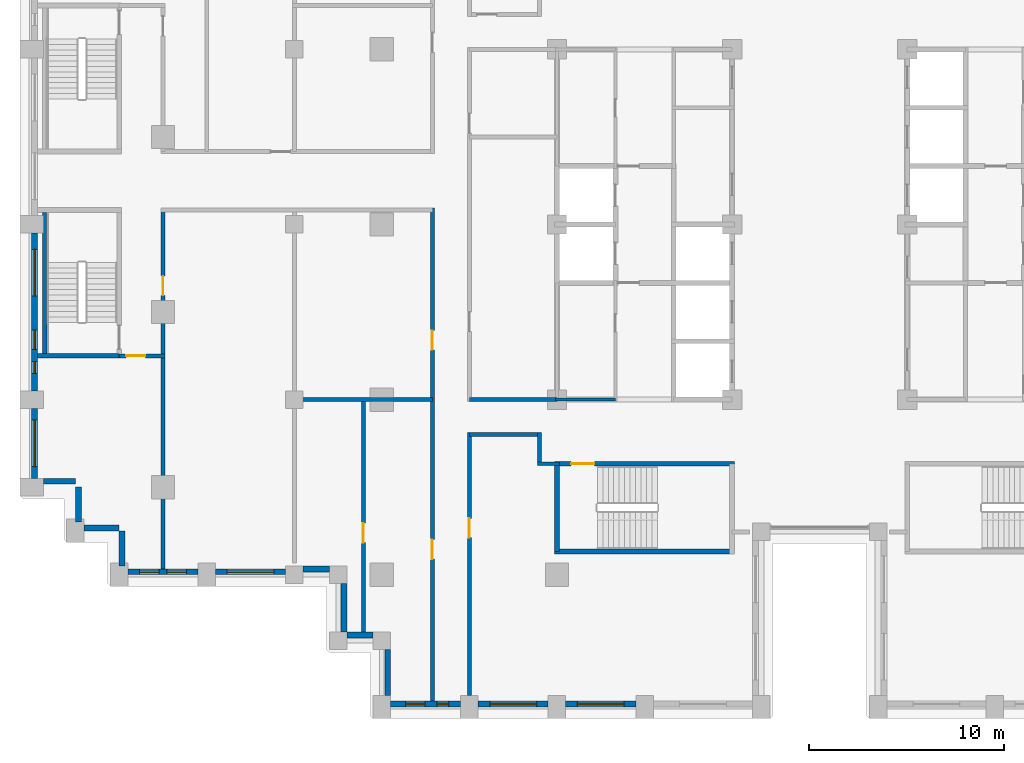
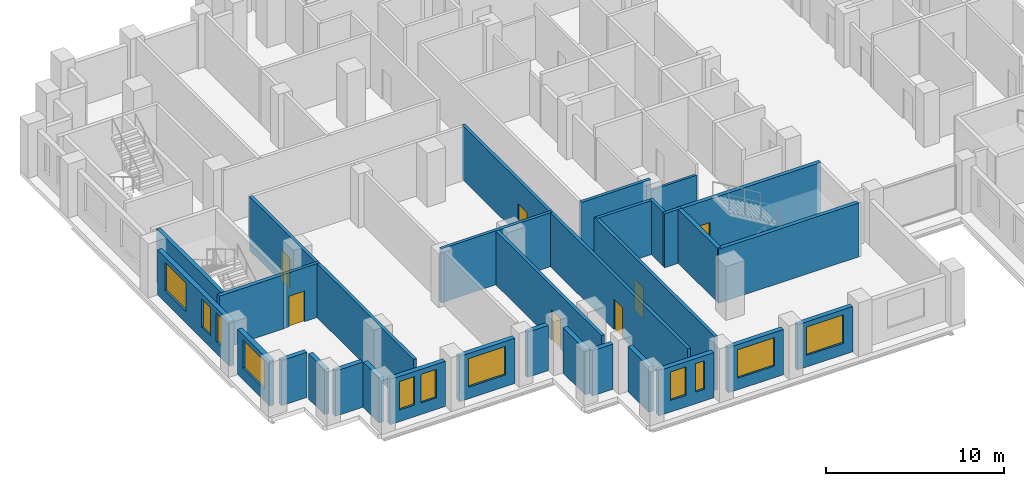
# One storey, part 6 of 15: 31 walls, 11 windows, 7 doors, 18 openings.
"""IFC4 building model written with IfcOpenShell, lengths in metres."""

from ifc_helpers import new_model, si_unit, direction, frame, frame_2d, origin, place, context, subcontext, project, spatial, rectangle, extrude, material, layer, layer_set, type_object, element, fill, save


model = new_model("IFC4")

# Units and contexts
model_context = context("Model", 3, precision=1e-05, world=origin(), true_north=direction((0.0, 1.0)))
body_context = subcontext(model_context, "Body", "Model", "MODEL_VIEW")
ifc_project = project(units=[si_unit("LENGTHUNIT", "METRE"), si_unit("AREAUNIT", "SQUARE_METRE"), si_unit("VOLUMEUNIT", "CUBIC_METRE"), si_unit("PLANEANGLEUNIT", "RADIAN"), si_unit("MASSUNIT", "GRAM", prefix="KILO")], contexts=[model_context])

# Site, building, storey
site_placement = place(None, origin())
site = spatial("IfcSite", under=ifc_project, at=site_placement, CompositionType="ELEMENT")
building_placement = place(site_placement, origin())
building = spatial("IfcBuilding", under=site, at=building_placement, Name="Corbelhall Arena Tower", CompositionType="ELEMENT")
storey_placement = place(building_placement, frame((0.0, 0.0, 92.0)))
storey = spatial("IfcBuildingStorey", under=building, at=storey_placement, Name="L15", CompositionType="ELEMENT", Elevation=92.0)

# Walls
ifc_material_1 = material(Name="Precast concrete C40/50 with granite facing", Category="masonry")
ifc_layer_1 = layer(ifc_material_1, 0.300048828125)
ifc_layer_set_1 = layer_set([ifc_layer_1], Name="EV-IW1 Infill panel 300")
wall_type_1 = type_object("IfcWallType", Name="EV-IW1 Infill panel 300", PredefinedType="SOLIDWALL", material=ifc_layer_set_1)
wall_1_placement = place(storey_placement, frame((-39.89990234375, -13.199951171875, 0.0), z_axis=(0.0, 0.0, 1.0), x_axis=(1.0, 0.0, 0.0)))
element("IfcWall", 1, at=wall_1_placement, inside=storey, type_object=wall_type_1, Name="Infill panel IW1", PredefinedType="SOLIDWALL", context=body_context, shape_type="SweptSolid", body=[
    extrude(rectangle(XDim=1.64990234375, YDim=0.300048828125, at=frame_2d((0.824951171875, 0.0))), origin(), (0.0, 0.0, 1.0), 3.10009765625),
])
for number, where, z_axis, x_axis, name in (
    (2, (-38.10009765625, -15.300048828125, 0.0), (0.0, 0.0, 1.0), (0.0, 1.0, 0.0), "Infill panel IW1"),
    (3, (-37.800048828125, -15.60009765625, 0.0), (0.0, 0.0, 1.0), (1.0, 0.0, 0.0), "Infill panel IW1"),
    (4, (-35.85009765625, -17.550048828125, 0.0), (0.0, 0.0, 1.0), (0.0, 1.0, 0.0), "Infill panel IW1"),
):
    element("IfcWall", number, at=place(storey_placement, frame(where, z_axis=z_axis, x_axis=x_axis)), inside=storey, type_object=wall_type_1, Name=name, PredefinedType="SOLIDWALL", context=body_context, shape_type="SweptSolid", body=[
        extrude(rectangle(XDim=1.800048828125, YDim=0.300048828125, at=frame_2d((0.89990234375, 0.0))), origin(), (0.0, 0.0, 1.0), 3.10009765625),
    ])

# Wall, openings, windows
wall_2_placement = place(storey_placement, frame((-40.35009765625, -0.449951171875, 0.0), z_axis=(0.0, 0.0, 1.0), x_axis=(0.0, -1.0, 0.0)))
wall_2 = element("IfcWall", 5, at=wall_2_placement, inside=storey, type_object=wall_type_1, Name="Infill panel IW1", PredefinedType="SOLIDWALL", context=body_context, shape_type="SweptSolid", body=[
    extrude(rectangle(XDim=8.10009765625, YDim=0.300048828125, at=frame_2d((4.050048828125, 0.0))), origin(), (0.0, 0.0, 1.0), 3.10009765625),
])
opening_1_placement = place(wall_2_placement, frame((0.824951171875, 0.0, 0.800048828125)))
opening_1 = element("IfcOpeningElement", 6, at=opening_1_placement, cuts=wall_2, Name="Opening WN1", PredefinedType="OPENING", context=body_context, shape_type="SweptSolid", body=[
    extrude(rectangle(XDim=2.39990234375, YDim=1.949951171875, at=frame_2d((1.199951171875, 0.97509765625))), frame((0.0, 0.14990234375, 0.0), z_axis=(0.0, -1.0, 0.0), x_axis=(1.0, 0.0, 0.0)), (0.0, 0.0, 1.0), 0.300048828125),
])
opening_2_placement = place(wall_2_placement, frame((4.97509765625, 0.0, 0.800048828125)))
opening_2 = element("IfcOpeningElement", 7, at=opening_2_placement, cuts=wall_2, Name="Opening WN6", PredefinedType="OPENING", context=body_context, shape_type="SweptSolid", body=[
    extrude(rectangle(XDim=1.0, YDim=1.949951171875, at=frame_2d((0.5, 0.97509765625))), frame((0.0, 0.14990234375, 0.0), z_axis=(0.0, -1.0, 0.0), x_axis=(1.0, 0.0, 0.0)), (0.0, 0.0, 1.0), 0.300048828125),
])
opening_3_placement = place(wall_2_placement, frame((6.60009765625, 0.0, 0.800048828125)))
opening_3 = element("IfcOpeningElement", 8, at=opening_3_placement, cuts=wall_2, Name="Opening WN5", PredefinedType="OPENING", context=body_context, shape_type="SweptSolid", body=[
    extrude(rectangle(XDim=0.60009765625, YDim=1.949951171875, at=frame_2d((0.300048828125, 0.97509765625))), frame((0.0, 0.14990234375, 0.0), z_axis=(0.0, -1.0, 0.0), x_axis=(1.0, 0.0, 0.0)), (0.0, 0.0, 1.0), 0.300048828125),
])
ifc_material_2 = material(Name="Aluminium black anodised", Category="aluminium")
window_type_1 = type_object("IfcWindowType", Name="EV-WN1 Office window", PartitioningType="SINGLE_PANEL", PredefinedType="WINDOW", material=ifc_material_2)
window_1_placement = place(opening_1_placement, origin())
window_1 = element("IfcWindow", 9, at=window_1_placement, inside=storey, type_object=window_type_1, Name="Window WN1", OverallHeight=1.949951171875, OverallWidth=2.39990234375, PartitioningType="SINGLE_PANEL", PredefinedType="WINDOW", context=body_context, shape_type="SweptSolid", body=[
    extrude(rectangle(XDim=2.39990234375, YDim=1.949951171875, at=frame_2d((1.199951171875, 0.97509765625))), frame((0.0, 0.030029296875, 0.0), z_axis=(0.0, -1.0, 0.0), x_axis=(1.0, 0.0, 0.0)), (0.0, 0.0, 1.0), 0.06005859375),
])
fill(opening_1, window_1)
window_type_2 = type_object("IfcWindowType", Name="EV-WN5 Office window 600", PartitioningType="SINGLE_PANEL", PredefinedType="WINDOW", material=ifc_material_2)
window_2_placement = place(opening_3_placement, origin())
window_2 = element("IfcWindow", 10, at=window_2_placement, inside=storey, type_object=window_type_2, Name="Window WN5", OverallHeight=1.949951171875, OverallWidth=0.60009765625, PartitioningType="SINGLE_PANEL", PredefinedType="WINDOW", context=body_context, shape_type="SweptSolid", body=[
    extrude(rectangle(XDim=0.60009765625, YDim=1.949951171875, at=frame_2d((0.300048828125, 0.97509765625))), frame((0.0, 0.030029296875, 0.0), z_axis=(0.0, -1.0, 0.0), x_axis=(1.0, 0.0, 0.0)), (0.0, 0.0, 1.0), 0.06005859375),
])
fill(opening_3, window_2)
window_type_3 = type_object("IfcWindowType", Name="EV-WN6 Office window 1000", PartitioningType="SINGLE_PANEL", PredefinedType="WINDOW", material=ifc_material_2)
window_3_placement = place(opening_2_placement, origin())
window_3 = element("IfcWindow", 11, at=window_3_placement, inside=storey, type_object=window_type_3, Name="Window WN6", OverallHeight=1.949951171875, OverallWidth=1.0, PartitioningType="SINGLE_PANEL", PredefinedType="WINDOW", context=body_context, shape_type="SweptSolid", body=[
    extrude(rectangle(XDim=1.0, YDim=1.949951171875, at=frame_2d((0.5, 0.97509765625))), frame((0.0, 0.030029296875, 0.0), z_axis=(0.0, -1.0, 0.0), x_axis=(1.0, 0.0, 0.0)), (0.0, 0.0, 1.0), 0.06005859375),
])
fill(opening_2, window_3)

# Wall, opening, window
wall_3_placement = place(storey_placement, frame((-40.35009765625, -9.449951171875, 0.0), z_axis=(0.0, 0.0, 1.0), x_axis=(0.0, -1.0, 0.0)))
wall_3 = element("IfcWall", 12, at=wall_3_placement, inside=storey, type_object=wall_type_1, Name="Infill panel IW1", PredefinedType="SOLIDWALL", context=body_context, shape_type="SweptSolid", body=[
    extrude(rectangle(XDim=3.60009765625, YDim=0.300048828125, at=frame_2d((1.800048828125, 0.0))), origin(), (0.0, 0.0, 1.0), 3.10009765625),
])
opening_4_placement = place(wall_3_placement, frame((0.60009765625, 0.0, 0.800048828125)))
opening_4 = element("IfcOpeningElement", 13, at=opening_4_placement, cuts=wall_3, Name="Opening WN1", PredefinedType="OPENING", context=body_context, shape_type="SweptSolid", body=[
    extrude(rectangle(XDim=2.39990234375, YDim=1.949951171875, at=frame_2d((1.199951171875, 0.97509765625))), frame((0.0, 0.14990234375, 0.0), z_axis=(0.0, -1.0, 0.0), x_axis=(1.0, 0.0, 0.0)), (0.0, 0.0, 1.0), 0.300048828125),
])
window_4_placement = place(opening_4_placement, origin())
window_4 = element("IfcWindow", 14, at=window_4_placement, inside=storey, type_object=window_type_1, Name="Window WN1", OverallHeight=1.949951171875, OverallWidth=2.39990234375, PartitioningType="SINGLE_PANEL", PredefinedType="WINDOW", context=body_context, shape_type="SweptSolid", body=[
    extrude(rectangle(XDim=2.39990234375, YDim=1.949951171875, at=frame_2d((1.199951171875, 0.97509765625))), frame((0.0, 0.030029296875, 0.0), z_axis=(0.0, -1.0, 0.0), x_axis=(1.0, 0.0, 0.0)), (0.0, 0.0, 1.0), 0.06005859375),
])
fill(opening_4, window_4)

# Wall, openings, windows
wall_4_placement = place(storey_placement, frame((-35.550048828125, -17.85009765625, 0.0), z_axis=(0.0, 0.0, 1.0), x_axis=(1.0, 0.0, 0.0)))
wall_4 = element("IfcWall", 15, at=wall_4_placement, inside=storey, type_object=wall_type_1, Name="Infill panel IW1", PredefinedType="SOLIDWALL", context=body_context, shape_type="SweptSolid", body=[
    extrude(rectangle(XDim=3.60009765625, YDim=0.300048828125, at=frame_2d((1.800048828125, 0.0))), origin(), (0.0, 0.0, 1.0), 3.10009765625),
])
opening_5_placement = place(wall_4_placement, frame((0.60009765625, 0.0, 0.800048828125)))
opening_5 = element("IfcOpeningElement", 16, at=opening_5_placement, cuts=wall_4, Name="Opening WN6", PredefinedType="OPENING", context=body_context, shape_type="SweptSolid", body=[
    extrude(rectangle(XDim=1.0, YDim=1.949951171875, at=frame_2d((0.5, 0.97509765625))), frame((0.0, 0.14990234375, 0.0), z_axis=(0.0, -1.0, 0.0), x_axis=(1.0, 0.0, 0.0)), (0.0, 0.0, 1.0), 0.300048828125),
])
opening_6_placement = place(wall_4_placement, frame((2.0, 0.0, 0.800048828125)))
opening_6 = element("IfcOpeningElement", 17, at=opening_6_placement, cuts=wall_4, Name="Opening WN6", PredefinedType="OPENING", context=body_context, shape_type="SweptSolid", body=[
    extrude(rectangle(XDim=1.0, YDim=1.949951171875, at=frame_2d((0.5, 0.97509765625))), frame((0.0, 0.14990234375, 0.0), z_axis=(0.0, -1.0, 0.0), x_axis=(1.0, 0.0, 0.0)), (0.0, 0.0, 1.0), 0.300048828125),
])
window_5_placement = place(opening_5_placement, origin())
window_5 = element("IfcWindow", 18, at=window_5_placement, inside=storey, type_object=window_type_3, Name="Window WN6", OverallHeight=1.949951171875, OverallWidth=1.0, PartitioningType="SINGLE_PANEL", PredefinedType="WINDOW", context=body_context, shape_type="SweptSolid", body=[
    extrude(rectangle(XDim=1.0, YDim=1.949951171875, at=frame_2d((0.5, 0.97509765625))), frame((0.0, 0.030029296875, 0.0), z_axis=(0.0, -1.0, 0.0), x_axis=(1.0, 0.0, 0.0)), (0.0, 0.0, 1.0), 0.06005859375),
])
fill(opening_5, window_5)
window_6_placement = place(opening_6_placement, origin())
window_6 = element("IfcWindow", 19, at=window_6_placement, inside=storey, type_object=window_type_3, Name="Window WN6", OverallHeight=1.949951171875, OverallWidth=1.0, PartitioningType="SINGLE_PANEL", PredefinedType="WINDOW", context=body_context, shape_type="SweptSolid", body=[
    extrude(rectangle(XDim=1.0, YDim=1.949951171875, at=frame_2d((0.5, 0.97509765625))), frame((0.0, 0.030029296875, 0.0), z_axis=(0.0, -1.0, 0.0), x_axis=(1.0, 0.0, 0.0)), (0.0, 0.0, 1.0), 0.06005859375),
])
fill(opening_6, window_6)

# Wall, opening, window
wall_5_placement = place(storey_placement, frame((-31.050048828125, -17.85009765625, 0.0), z_axis=(0.0, 0.0, 1.0), x_axis=(1.0, 0.0, 0.0)))
wall_5 = element("IfcWall", 20, at=wall_5_placement, inside=storey, type_object=wall_type_1, Name="Infill panel IW1", PredefinedType="SOLIDWALL", context=body_context, shape_type="SweptSolid", body=[
    extrude(rectangle(XDim=3.60009765625, YDim=0.300048828125, at=frame_2d((1.800048828125, 0.0))), origin(), (0.0, 0.0, 1.0), 3.10009765625),
])
opening_7_placement = place(wall_5_placement, frame((0.60009765625, 0.0, 0.800048828125)))
opening_7 = element("IfcOpeningElement", 21, at=opening_7_placement, cuts=wall_5, Name="Opening WN1", PredefinedType="OPENING", context=body_context, shape_type="SweptSolid", body=[
    extrude(rectangle(XDim=2.39990234375, YDim=1.949951171875, at=frame_2d((1.199951171875, 0.97509765625))), frame((0.0, 0.14990234375, 0.0), z_axis=(0.0, -1.0, 0.0), x_axis=(1.0, 0.0, 0.0)), (0.0, 0.0, 1.0), 0.300048828125),
])
window_7_placement = place(opening_7_placement, origin())
window_7 = element("IfcWindow", 22, at=window_7_placement, inside=storey, type_object=window_type_1, Name="Window WN1", OverallHeight=1.949951171875, OverallWidth=2.39990234375, PartitioningType="SINGLE_PANEL", PredefinedType="WINDOW", context=body_context, shape_type="SweptSolid", body=[
    extrude(rectangle(XDim=2.39990234375, YDim=1.949951171875, at=frame_2d((1.199951171875, 0.97509765625))), frame((0.0, 0.030029296875, 0.0), z_axis=(0.0, -1.0, 0.0), x_axis=(1.0, 0.0, 0.0)), (0.0, 0.0, 1.0), 0.06005859375),
])
fill(opening_7, window_7)

# Walls
wall_6_placement = place(storey_placement, frame((-26.550048828125, -17.699951171875, 0.0), z_axis=(0.0, 0.0, 1.0), x_axis=(1.0, 0.0, 0.0)))
element("IfcWall", 23, at=wall_6_placement, inside=storey, type_object=wall_type_1, Name="Infill panel IW1", PredefinedType="SOLIDWALL", context=body_context, shape_type="SweptSolid", body=[
    extrude(rectangle(XDim=1.35009765625, YDim=0.300048828125, at=frame_2d((0.675048828125, 0.0))), origin(), (0.0, 0.0, 1.0), 3.10009765625),
])
wall_7_placement = place(storey_placement, frame((-24.449951171875, -18.449951171875, 0.0), z_axis=(0.0, 0.0, 1.0), x_axis=(0.0, -1.0, 0.0)))
element("IfcWall", 24, at=wall_7_placement, inside=storey, type_object=wall_type_1, Name="Infill panel IW1", PredefinedType="SOLIDWALL", context=body_context, shape_type="SweptSolid", body=[
    extrude(rectangle(XDim=2.5, YDim=0.300048828125, at=frame_2d((1.25, 0.0))), origin(), (0.0, 0.0, 1.0), 3.10009765625),
])
wall_8_placement = place(storey_placement, frame((-24.300048828125, -21.10009765625, 0.0), z_axis=(0.0, 0.0, 1.0), x_axis=(1.0, 0.0, 0.0)))
element("IfcWall", 25, at=wall_8_placement, inside=storey, type_object=wall_type_1, Name="Infill panel IW1", PredefinedType="SOLIDWALL", context=body_context, shape_type="SweptSolid", body=[
    extrude(rectangle(XDim=1.35009765625, YDim=0.300048828125, at=frame_2d((0.675048828125, 0.0))), origin(), (0.0, 0.0, 1.0), 3.10009765625),
])
wall_9_placement = place(storey_placement, frame((-22.199951171875, -21.85009765625, 0.0), z_axis=(0.0, 0.0, 1.0), x_axis=(0.0, -1.0, 0.0)))
element("IfcWall", 26, at=wall_9_placement, inside=storey, type_object=wall_type_1, Name="Infill panel IW1", PredefinedType="SOLIDWALL", context=body_context, shape_type="SweptSolid", body=[
    extrude(rectangle(XDim=2.349853515625, YDim=0.300048828125, at=frame_2d((1.1748046875, 0.0))), origin(), (0.0, 0.0, 1.0), 3.10009765625),
])

# Wall, openings, windows
wall_10_placement = place(storey_placement, frame((-22.050048828125, -24.64990234375, 0.0), z_axis=(0.0, 0.0, 1.0), x_axis=(1.0, 0.0, 0.0)))
wall_10 = element("IfcWall", 27, at=wall_10_placement, inside=storey, type_object=wall_type_1, Name="Infill panel IW1", PredefinedType="SOLIDWALL", context=body_context, shape_type="SweptSolid", body=[
    extrude(rectangle(XDim=3.60009765625, YDim=0.300048828125, at=frame_2d((1.800048828125, 0.0))), origin(), (0.0, 0.0, 1.0), 3.10009765625),
])
opening_8_placement = place(wall_10_placement, frame((0.77490234375, 0.0, 0.800048828125)))
opening_8 = element("IfcOpeningElement", 28, at=opening_8_placement, cuts=wall_10, Name="Opening WN6", PredefinedType="OPENING", context=body_context, shape_type="SweptSolid", body=[
    extrude(rectangle(XDim=1.0, YDim=1.949951171875, at=frame_2d((0.5, 0.97509765625))), frame((0.0, 0.14990234375, 0.0), z_axis=(0.0, -1.0, 0.0), x_axis=(1.0, 0.0, 0.0)), (0.0, 0.0, 1.0), 0.300048828125),
])
opening_9_placement = place(wall_10_placement, frame((2.375, 0.0, 0.800048828125)))
opening_9 = element("IfcOpeningElement", 29, at=opening_9_placement, cuts=wall_10, Name="Opening WN5", PredefinedType="OPENING", context=body_context, shape_type="SweptSolid", body=[
    extrude(rectangle(XDim=0.60009765625, YDim=1.949951171875, at=frame_2d((0.300048828125, 0.97509765625))), frame((0.0, 0.14990234375, 0.0), z_axis=(0.0, -1.0, 0.0), x_axis=(1.0, 0.0, 0.0)), (0.0, 0.0, 1.0), 0.300048828125),
])
window_8_placement = place(opening_9_placement, origin())
window_8 = element("IfcWindow", 30, at=window_8_placement, inside=storey, type_object=window_type_2, Name="Window WN5", OverallHeight=1.949951171875, OverallWidth=0.60009765625, PartitioningType="SINGLE_PANEL", PredefinedType="WINDOW", context=body_context, shape_type="SweptSolid", body=[
    extrude(rectangle(XDim=0.60009765625, YDim=1.949951171875, at=frame_2d((0.300048828125, 0.97509765625))), frame((0.0, 0.030029296875, 0.0), z_axis=(0.0, -1.0, 0.0), x_axis=(1.0, 0.0, 0.0)), (0.0, 0.0, 1.0), 0.06005859375),
])
fill(opening_9, window_8)
window_9_placement = place(opening_8_placement, origin())
window_9 = element("IfcWindow", 31, at=window_9_placement, inside=storey, type_object=window_type_3, Name="Window WN6", OverallHeight=1.949951171875, OverallWidth=1.0, PartitioningType="SINGLE_PANEL", PredefinedType="WINDOW", context=body_context, shape_type="SweptSolid", body=[
    extrude(rectangle(XDim=1.0, YDim=1.949951171875, at=frame_2d((0.5, 0.97509765625))), frame((0.0, 0.030029296875, 0.0), z_axis=(0.0, -1.0, 0.0), x_axis=(1.0, 0.0, 0.0)), (0.0, 0.0, 1.0), 0.06005859375),
])
fill(opening_8, window_9)

# Wall, opening, window
wall_11_placement = place(storey_placement, frame((-17.550048828125, -24.64990234375, 0.0), z_axis=(0.0, 0.0, 1.0), x_axis=(1.0, 0.0, 0.0)))
wall_11 = element("IfcWall", 32, at=wall_11_placement, inside=storey, type_object=wall_type_1, Name="Infill panel IW1", PredefinedType="SOLIDWALL", context=body_context, shape_type="SweptSolid", body=[
    extrude(rectangle(XDim=3.60009765625, YDim=0.300048828125, at=frame_2d((1.800048828125, 0.0))), origin(), (0.0, 0.0, 1.0), 3.10009765625),
])
opening_10_placement = place(wall_11_placement, frame((0.60009765625, 0.0, 0.800048828125)))
opening_10 = element("IfcOpeningElement", 33, at=opening_10_placement, cuts=wall_11, Name="Opening WN1", PredefinedType="OPENING", context=body_context, shape_type="SweptSolid", body=[
    extrude(rectangle(XDim=2.39990234375, YDim=1.949951171875, at=frame_2d((1.199951171875, 0.97509765625))), frame((0.0, 0.14990234375, 0.0), z_axis=(0.0, -1.0, 0.0), x_axis=(1.0, 0.0, 0.0)), (0.0, 0.0, 1.0), 0.300048828125),
])
window_10_placement = place(opening_10_placement, origin())
window_10 = element("IfcWindow", 34, at=window_10_placement, inside=storey, type_object=window_type_1, Name="Window WN1", OverallHeight=1.949951171875, OverallWidth=2.39990234375, PartitioningType="SINGLE_PANEL", PredefinedType="WINDOW", context=body_context, shape_type="SweptSolid", body=[
    extrude(rectangle(XDim=2.39990234375, YDim=1.949951171875, at=frame_2d((1.199951171875, 0.97509765625))), frame((0.0, 0.030029296875, 0.0), z_axis=(0.0, -1.0, 0.0), x_axis=(1.0, 0.0, 0.0)), (0.0, 0.0, 1.0), 0.06005859375),
])
fill(opening_10, window_10)

wall_12_placement = place(storey_placement, frame((-13.050048828125, -24.64990234375, 0.0), z_axis=(0.0, 0.0, 1.0), x_axis=(1.0, 0.0, 0.0)))
wall_12 = element("IfcWall", 35, at=wall_12_placement, inside=storey, type_object=wall_type_1, Name="Infill panel IW1", PredefinedType="SOLIDWALL", context=body_context, shape_type="SweptSolid", body=[
    extrude(rectangle(XDim=3.60009765625, YDim=0.300048828125, at=frame_2d((1.800048828125, 0.0))), origin(), (0.0, 0.0, 1.0), 3.10009765625),
])
opening_11_placement = place(wall_12_placement, frame((0.60009765625, 0.0, 0.800048828125)))
opening_11 = element("IfcOpeningElement", 36, at=opening_11_placement, cuts=wall_12, Name="Opening WN1", PredefinedType="OPENING", context=body_context, shape_type="SweptSolid", body=[
    extrude(rectangle(XDim=2.39990234375, YDim=1.949951171875, at=frame_2d((1.199951171875, 0.97509765625))), frame((0.0, 0.14990234375, 0.0), z_axis=(0.0, -1.0, 0.0), x_axis=(1.0, 0.0, 0.0)), (0.0, 0.0, 1.0), 0.300048828125),
])
window_11_placement = place(opening_11_placement, origin())
window_11 = element("IfcWindow", 37, at=window_11_placement, inside=storey, type_object=window_type_1, Name="Window WN1", OverallHeight=1.949951171875, OverallWidth=2.39990234375, PartitioningType="SINGLE_PANEL", PredefinedType="WINDOW", context=body_context, shape_type="SweptSolid", body=[
    extrude(rectangle(XDim=2.39990234375, YDim=1.949951171875, at=frame_2d((1.199951171875, 0.97509765625))), frame((0.0, 0.030029296875, 0.0), z_axis=(0.0, -1.0, 0.0), x_axis=(1.0, 0.0, 0.0)), (0.0, 0.0, 1.0), 0.06005859375),
])
fill(opening_11, window_11)

# Wall, opening, door
ifc_material_3 = material(Name="Gypsum board on steel stud, acoustic", Category="steel")
ifc_layer_2 = layer(ifc_material_3, 0.199951171875)
ifc_layer_set_2 = layer_set([ifc_layer_2], Name="IN-W-DM200")
wall_type_2 = type_object("IfcWallType", Name="IN-W-DM200", PredefinedType="PARTITIONING", material=ifc_layer_set_2)
wall_13_placement = place(storey_placement, frame((-33.75, 0.75, 0.0), z_axis=(0.0, 0.0, 1.0), x_axis=(0.0, -1.0, 0.0)))
wall_13 = element("IfcWall", 38, at=wall_13_placement, inside=storey, type_object=wall_type_2, Name="Partition 003", PredefinedType="PARTITIONING", context=body_context, shape_type="SweptSolid", body=[
    extrude(rectangle(XDim=18.449951171875, YDim=0.199951171875, at=frame_2d((9.22509765625, 0.0))), origin(), (0.0, 0.0, 1.0), 3.699951171875),
])
opening_12_placement = place(wall_13_placement, frame((3.39990234375, 0.0, 0.0)))
opening_12 = element("IfcOpeningElement", 39, at=opening_12_placement, cuts=wall_13, Name="Opening 03044", PredefinedType="OPENING", context=body_context, shape_type="SweptSolid", body=[
    extrude(rectangle(XDim=1.0, YDim=2.10009765625, at=frame_2d((0.5, 1.050048828125))), frame((0.0, 0.10009765625, 0.0), z_axis=(0.0, -1.0, 0.0), x_axis=(1.0, 0.0, 0.0)), (0.0, 0.0, 1.0), 0.199951171875),
])
ifc_material_4 = material(Name="Steel door set", Category="steel")
door_type_1 = type_object("IfcDoorType", Name="IN-D-SW100", OperationType="NOTDEFINED", PredefinedType="DOOR", material=ifc_material_4)
door_1_placement = place(opening_12_placement, origin())
door_1 = element("IfcDoor", 40, at=door_1_placement, inside=storey, type_object=door_type_1, Name="Door 044", OperationType="SINGLE_SWING_LEFT", OverallHeight=2.10009765625, OverallWidth=1.0, PredefinedType="DOOR", context=body_context, shape_type="SweptSolid", body=[
    extrude(rectangle(XDim=1.0, YDim=2.10009765625, at=frame_2d((0.5, 1.050048828125))), frame((0.0, 0.02490234375, 0.0), z_axis=(0.0, -1.0, 0.0), x_axis=(1.0, 0.0, 0.0)), (0.0, 0.0, 1.0), 0.050048828125),
])
fill(opening_12, door_1)

wall_14_placement = place(storey_placement, frame((-33.64990234375, -6.75, 0.0), z_axis=(0.0, 0.0, 1.0), x_axis=(-1.0, 0.0, 0.0)))
wall_14 = element("IfcWall", 41, at=wall_14_placement, inside=storey, type_object=wall_type_2, Name="Partition 005", PredefinedType="PARTITIONING", context=body_context, shape_type="SweptSolid", body=[
    extrude(rectangle(XDim=2.35009765625, YDim=0.199951171875, at=frame_2d((1.175048828125, 0.0))), origin(), (0.0, 0.0, 1.0), 3.699951171875),
])
opening_13_placement = place(wall_14_placement, frame((1.0, 0.0, 0.0)))
opening_13 = element("IfcOpeningElement", 42, at=opening_13_placement, cuts=wall_14, Name="Opening 03043", PredefinedType="OPENING", context=body_context, shape_type="SweptSolid", body=[
    extrude(rectangle(XDim=1.0, YDim=2.10009765625, at=frame_2d((0.5, 1.050048828125))), frame((0.0, 0.10009765625, 0.0), z_axis=(0.0, -1.0, 0.0), x_axis=(1.0, 0.0, 0.0)), (0.0, 0.0, 1.0), 0.199951171875),
])
door_2_placement = place(opening_13_placement, origin())
door_2 = element("IfcDoor", 43, at=door_2_placement, inside=storey, type_object=door_type_1, Name="Door 043", OperationType="SINGLE_SWING_RIGHT", OverallHeight=2.10009765625, OverallWidth=1.0, PredefinedType="DOOR", context=body_context, shape_type="SweptSolid", body=[
    extrude(rectangle(XDim=1.0, YDim=2.10009765625, at=frame_2d((0.5, 1.050048828125))), frame((0.0, 0.02490234375, 0.0), z_axis=(0.0, -1.0, 0.0), x_axis=(1.0, 0.0, 0.0)), (0.0, 0.0, 1.0), 0.050048828125),
])
fill(opening_13, door_2)

# Wall
wall_15_placement = place(storey_placement, frame((-27.10009765625, -9.0, 0.0), z_axis=(0.0, 0.0, 1.0), x_axis=(1.0, 0.0, 0.0)))
element("IfcWall", 44, at=wall_15_placement, inside=storey, type_object=wall_type_2, Name="Partition 007", PredefinedType="PARTITIONING", context=body_context, shape_type="SweptSolid", body=[
    extrude(rectangle(XDim=7.2001953125, YDim=0.199951171875, at=frame_2d((3.60009765625, 0.0))), origin(), (0.0, 0.0, 1.0), 3.699951171875),
])

# Wall, opening, door
wall_16_placement = place(storey_placement, frame((-23.449951171875, -20.949951171875, 0.0), z_axis=(0.0, 0.0, 1.0), x_axis=(0.0, 1.0, 0.0)))
wall_16 = element("IfcWall", 45, at=wall_16_placement, inside=storey, type_object=wall_type_2, Name="Partition 012", PredefinedType="PARTITIONING", context=body_context, shape_type="SweptSolid", body=[
    extrude(rectangle(XDim=12.050048828125, YDim=0.199951171875, at=frame_2d((6.02490234375, 0.0))), origin(), (0.0, 0.0, 1.0), 3.699951171875),
])
opening_14_placement = place(wall_16_placement, frame((4.60009765625, 0.0, 0.0)))
opening_14 = element("IfcOpeningElement", 46, at=opening_14_placement, cuts=wall_16, Name="Opening 03032", PredefinedType="OPENING", context=body_context, shape_type="SweptSolid", body=[
    extrude(rectangle(XDim=1.0, YDim=2.10009765625, at=frame_2d((0.5, 1.050048828125))), frame((0.0, 0.10009765625, 0.0), z_axis=(0.0, -1.0, 0.0), x_axis=(1.0, 0.0, 0.0)), (0.0, 0.0, 1.0), 0.199951171875),
])
door_3_placement = place(opening_14_placement, origin())
door_3 = element("IfcDoor", 47, at=door_3_placement, inside=storey, type_object=door_type_1, Name="Door 032", OperationType="SINGLE_SWING_LEFT", OverallHeight=2.10009765625, OverallWidth=1.0, PredefinedType="DOOR", context=body_context, shape_type="SweptSolid", body=[
    extrude(rectangle(XDim=1.0, YDim=2.10009765625, at=frame_2d((0.5, 1.050048828125))), frame((0.0, 0.02490234375, 0.0), z_axis=(0.0, -1.0, 0.0), x_axis=(1.0, 0.0, 0.0)), (0.0, 0.0, 1.0), 0.050048828125),
])
fill(opening_14, door_3)

# Wall, openings, doors
wall_17_placement = place(storey_placement, frame((-19.89990234375, -24.5, 0.0), z_axis=(0.0, 0.0, 1.0), x_axis=(0.0, 1.0, 0.0)))
wall_17 = element("IfcWall", 48, at=wall_17_placement, inside=storey, type_object=wall_type_2, Name="Partition 014", PredefinedType="PARTITIONING", context=body_context, shape_type="SweptSolid", body=[
    extrude(rectangle(XDim=25.35009765625, YDim=0.199951171875, at=frame_2d((12.675048828125, 0.0))), origin(), (0.0, 0.0, 1.0), 3.699951171875),
])
opening_15_placement = place(wall_17_placement, frame((7.300048828125, 0.0, 0.0)))
opening_15 = element("IfcOpeningElement", 49, at=opening_15_placement, cuts=wall_17, Name="Opening 03031", PredefinedType="OPENING", context=body_context, shape_type="SweptSolid", body=[
    extrude(rectangle(XDim=1.0, YDim=2.10009765625, at=frame_2d((0.5, 1.050048828125))), frame((0.0, 0.10009765625, 0.0), z_axis=(0.0, -1.0, 0.0), x_axis=(1.0, 0.0, 0.0)), (0.0, 0.0, 1.0), 0.199951171875),
])
opening_16_placement = place(wall_17_placement, frame((18.050048828125, 0.0, 0.0)))
opening_16 = element("IfcOpeningElement", 50, at=opening_16_placement, cuts=wall_17, Name="Opening 03033", PredefinedType="OPENING", context=body_context, shape_type="SweptSolid", body=[
    extrude(rectangle(XDim=1.0, YDim=2.10009765625, at=frame_2d((0.5, 1.050048828125))), frame((0.0, 0.10009765625, 0.0), z_axis=(0.0, -1.0, 0.0), x_axis=(1.0, 0.0, 0.0)), (0.0, 0.0, 1.0), 0.199951171875),
])
door_4_placement = place(opening_15_placement, origin())
door_4 = element("IfcDoor", 51, at=door_4_placement, inside=storey, type_object=door_type_1, Name="Door 031", OperationType="SINGLE_SWING_RIGHT", OverallHeight=2.10009765625, OverallWidth=1.0, PredefinedType="DOOR", context=body_context, shape_type="SweptSolid", body=[
    extrude(rectangle(XDim=1.0, YDim=2.10009765625, at=frame_2d((0.5, 1.050048828125))), frame((0.0, 0.02490234375, 0.0), z_axis=(0.0, -1.0, 0.0), x_axis=(1.0, 0.0, 0.0)), (0.0, 0.0, 1.0), 0.050048828125),
])
fill(opening_15, door_4)
door_5_placement = place(opening_16_placement, origin())
door_5 = element("IfcDoor", 52, at=door_5_placement, inside=storey, type_object=door_type_1, Name="Door 033", OperationType="SINGLE_SWING_RIGHT", OverallHeight=2.10009765625, OverallWidth=1.0, PredefinedType="DOOR", context=body_context, shape_type="SweptSolid", body=[
    extrude(rectangle(XDim=1.0, YDim=2.10009765625, at=frame_2d((0.5, 1.050048828125))), frame((0.0, 0.02490234375, 0.0), z_axis=(0.0, -1.0, 0.0), x_axis=(1.0, 0.0, 0.0)), (0.0, 0.0, 1.0), 0.050048828125),
])
fill(opening_16, door_5)

# Wall, opening, door
wall_18_placement = place(storey_placement, frame((-18.0, -10.699951171875, 0.0), z_axis=(0.0, 0.0, 1.0), x_axis=(0.0, -1.0, 0.0)))
wall_18 = element("IfcWall", 53, at=wall_18_placement, inside=storey, type_object=wall_type_2, Name="Partition 017", PredefinedType="PARTITIONING", context=body_context, shape_type="SweptSolid", body=[
    extrude(rectangle(XDim=13.5, YDim=0.199951171875, at=frame_2d((6.75, 0.0))), origin(), (0.0, 0.0, 1.0), 3.699951171875),
])
opening_17_placement = place(wall_18_placement, frame((4.39990234375, 0.0, 0.0)))
opening_17 = element("IfcOpeningElement", 54, at=opening_17_placement, cuts=wall_18, Name="Opening 03027", PredefinedType="OPENING", context=body_context, shape_type="SweptSolid", body=[
    extrude(rectangle(XDim=1.0, YDim=2.10009765625, at=frame_2d((0.5, 1.050048828125))), frame((0.0, 0.10009765625, 0.0), z_axis=(0.0, -1.0, 0.0), x_axis=(1.0, 0.0, 0.0)), (0.0, 0.0, 1.0), 0.199951171875),
])
door_6_placement = place(opening_17_placement, origin())
door_6 = element("IfcDoor", 55, at=door_6_placement, inside=storey, type_object=door_type_1, Name="Door 027", OperationType="SINGLE_SWING_RIGHT", OverallHeight=2.10009765625, OverallWidth=1.0, PredefinedType="DOOR", context=body_context, shape_type="SweptSolid", body=[
    extrude(rectangle(XDim=1.0, YDim=2.10009765625, at=frame_2d((0.5, 1.050048828125))), frame((0.0, 0.02490234375, 0.0), z_axis=(0.0, -1.0, 0.0), x_axis=(1.0, 0.0, 0.0)), (0.0, 0.0, 1.0), 0.050048828125),
])
fill(opening_17, door_6)

# Walls
wall_19_placement = place(storey_placement, frame((-18.0, -9.0, 0.0), z_axis=(0.0, 0.0, 1.0), x_axis=(1.0, 0.0, 0.0)))
element("IfcWall", 56, at=wall_19_placement, inside=storey, type_object=wall_type_2, Name="Partition 018", PredefinedType="PARTITIONING", context=body_context, shape_type="SweptSolid", body=[
    extrude(rectangle(XDim=4.5, YDim=0.199951171875, at=frame_2d((2.25, 0.0))), origin(), (0.0, 0.0, 1.0), 3.699951171875),
])
wall_20_placement = place(storey_placement, frame((-14.39990234375, -12.300048828125, 0.0), z_axis=(0.0, 0.0, 1.0), x_axis=(0.0, 1.0, 0.0)))
element("IfcWall", 57, at=wall_20_placement, inside=storey, type_object=wall_type_2, Name="Partition 027", PredefinedType="PARTITIONING", context=body_context, shape_type="SweptSolid", body=[
    extrude(rectangle(XDim=1.60009765625, YDim=0.199951171875, at=frame_2d((0.800048828125, 0.0))), origin(), (0.0, 0.0, 1.0), 3.699951171875),
])
wall_21_placement = place(storey_placement, frame((-14.39990234375, -10.800048828125, 0.0), z_axis=(0.0, 0.0, 1.0), x_axis=(-1.0, 0.0, 0.0)))
element("IfcWall", 58, at=wall_21_placement, inside=storey, type_object=wall_type_2, Name="Partition 028", PredefinedType="PARTITIONING", context=body_context, shape_type="SweptSolid", body=[
    extrude(rectangle(XDim=3.60009765625, YDim=0.199951171875, at=frame_2d((1.800048828125, 0.0))), origin(), (0.0, 0.0, 1.0), 3.699951171875),
])
wall_22_placement = place(storey_placement, frame((-13.375, -12.300048828125, 0.0), z_axis=(0.0, 0.0, 1.0), x_axis=(-1.0, 0.0, 0.0)))
element("IfcWall", 59, at=wall_22_placement, inside=storey, type_object=wall_type_2, Name="Partition 031", PredefinedType="PARTITIONING", context=body_context, shape_type="SweptSolid", body=[
    extrude(rectangle(XDim=1.125, YDim=0.199951171875, at=frame_2d((0.5625, 0.0))), origin(), (0.0, 0.0, 1.0), 3.699951171875),
])
ifc_material_5 = material(Name="Concrete C40/50", Category="concrete")
ifc_layer_3 = layer(ifc_material_5, 0.25)
ifc_layer_set_3 = layer_set([ifc_layer_3], Name="IN-W-ST250")
wall_type_3 = type_object("IfcWallType", Name="IN-W-ST250", PredefinedType="SOLIDWALL", material=ifc_layer_set_3)
wall_23_placement = place(storey_placement, frame((-36.0, -6.75, 0.0), z_axis=(0.0, 0.0, 1.0), x_axis=(-1.0, 0.0, 0.0)))
element("IfcWall", 60, at=wall_23_placement, inside=storey, type_object=wall_type_3, Name="Shaft wall 097", PredefinedType="SOLIDWALL", context=body_context, shape_type="SweptSolid", body=[
    extrude(rectangle(XDim=4.199951171875, YDim=0.25, at=frame_2d((2.10009765625, 0.0))), origin(), (0.0, 0.0, 1.0), 3.699951171875),
])
wall_24_placement = place(storey_placement, frame((-13.5, -16.800048828125, 0.0), z_axis=(0.0, 0.0, 1.0), x_axis=(0.0, 1.0, 0.0)))
element("IfcWall", 61, at=wall_24_placement, inside=storey, type_object=wall_type_3, Name="Shaft wall 103", PredefinedType="SOLIDWALL", context=body_context, shape_type="SweptSolid", body=[
    extrude(rectangle(XDim=4.5, YDim=0.25, at=frame_2d((2.25, 0.0))), origin(), (0.0, 0.0, 1.0), 3.699951171875),
])
wall_25_placement = place(storey_placement, frame((-4.5, -16.800048828125, 0.0), z_axis=(0.0, 0.0, 1.0), x_axis=(-1.0, 0.0, 0.0)))
element("IfcWall", 62, at=wall_25_placement, inside=storey, type_object=wall_type_3, Name="Shaft wall 105", PredefinedType="SOLIDWALL", context=body_context, shape_type="SweptSolid", body=[
    extrude(rectangle(XDim=9.125, YDim=0.25, at=frame_2d((4.5625, 0.0))), origin(), (0.0, 0.0, 1.0), 3.699951171875),
])

# Wall, opening, door
wall_26_placement = place(storey_placement, frame((-4.375, -12.300048828125, 0.0), z_axis=(0.0, 0.0, 1.0), x_axis=(-1.0, 0.0, 0.0)))
wall_26 = element("IfcWall", 63, at=wall_26_placement, inside=storey, type_object=wall_type_3, Name="Shaft wall 108", PredefinedType="SOLIDWALL", context=body_context, shape_type="SweptSolid", body=[
    extrude(rectangle(XDim=9.25, YDim=0.25, at=frame_2d((4.625, 0.0))), origin(), (0.0, 0.0, 1.0), 3.699951171875),
])
opening_18_placement = place(wall_26_placement, frame((7.199951171875, 0.0, 0.0)))
opening_18 = element("IfcOpeningElement", 64, at=opening_18_placement, cuts=wall_26, Name="Opening 03014", PredefinedType="OPENING", context=body_context, shape_type="SweptSolid", body=[
    extrude(rectangle(XDim=1.199951171875, YDim=2.10009765625, at=frame_2d((0.60009765625, 1.050048828125))), frame((0.0, 0.125, 0.0), z_axis=(0.0, -1.0, 0.0), x_axis=(1.0, 0.0, 0.0)), (0.0, 0.0, 1.0), 0.25),
])
door_type_2 = type_object("IfcDoorType", Name="IN-D-ST120", OperationType="NOTDEFINED", PredefinedType="DOOR", material=ifc_material_4)
door_7_placement = place(opening_18_placement, origin())
door_7 = element("IfcDoor", 65, at=door_7_placement, inside=storey, type_object=door_type_2, Name="Door 014", OperationType="SINGLE_SWING_LEFT", OverallHeight=2.10009765625, OverallWidth=1.199951171875, PredefinedType="DOOR", context=body_context, shape_type="SweptSolid", body=[
    extrude(rectangle(XDim=1.199951171875, YDim=2.10009765625, at=frame_2d((0.60009765625, 1.050048828125))), frame((0.0, 0.02490234375, 0.0), z_axis=(0.0, -1.0, 0.0), x_axis=(1.0, 0.0, 0.0)), (0.0, 0.0, 1.0), 0.050048828125),
])
fill(opening_18, door_7)

# Walls
wall_27_placement = place(storey_placement, frame((-39.824951171875, -6.625, 0.0), z_axis=(0.0, 0.0, 1.0), x_axis=(0.0, 1.0, 0.0)))
element("IfcWall", 66, at=wall_27_placement, inside=storey, type_object=wall_type_3, Name="Shaft wall SC2 facade side", PredefinedType="SOLIDWALL", context=body_context, shape_type="SweptSolid", body=[
    extrude(rectangle(XDim=7.25, YDim=0.25, at=frame_2d((3.625, 0.0))), origin(), (0.0, 0.0, 1.0), 3.699951171875),
])
ifc_material_6 = material(Name="Gypsum board on steel stud, moisture resistant", Category="steel")
ifc_layer_4 = layer(ifc_material_6, 0.14990234375)
ifc_layer_set_4 = layer_set([ifc_layer_4], Name="IN-W-WC150 under beam 762 mm")
wall_type_4 = type_object("IfcWallType", Name="IN-W-WC150 under beam 762 mm", PredefinedType="PARTITIONING", material=ifc_layer_set_4)
wall_28_placement = place(storey_placement, frame((-10.5, -9.0, 0.0), z_axis=(0.0, 0.0, 1.0), x_axis=(-1.0, 0.0, 0.0)))
element("IfcWall", 67, at=wall_28_placement, inside=storey, type_object=wall_type_4, Name="Partition 127", PredefinedType="PARTITIONING", context=body_context, shape_type="SweptSolid", body=[
    extrude(rectangle(XDim=3.074951171875, YDim=0.14990234375, at=frame_2d((1.53759765625, 0.0))), origin(), (0.0, 0.0, 1.0), 2.93798828125),
])

save(model, "model.ifc")
